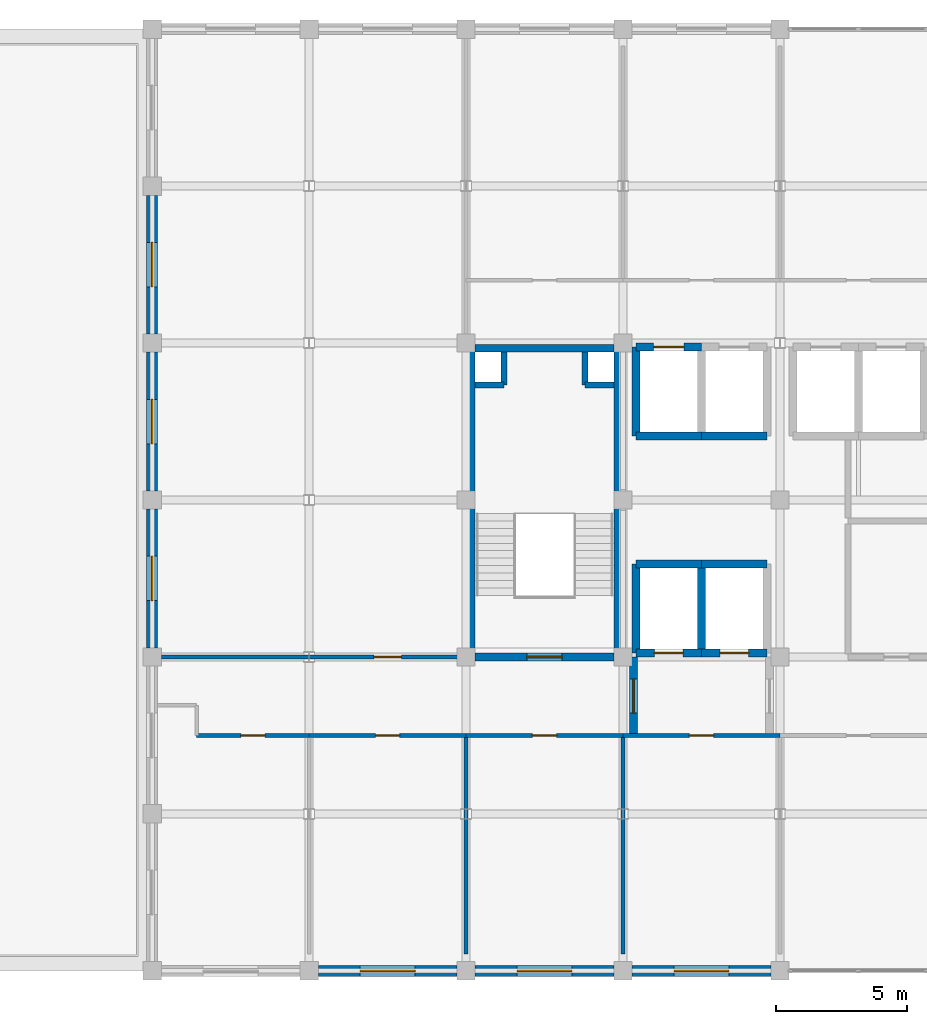
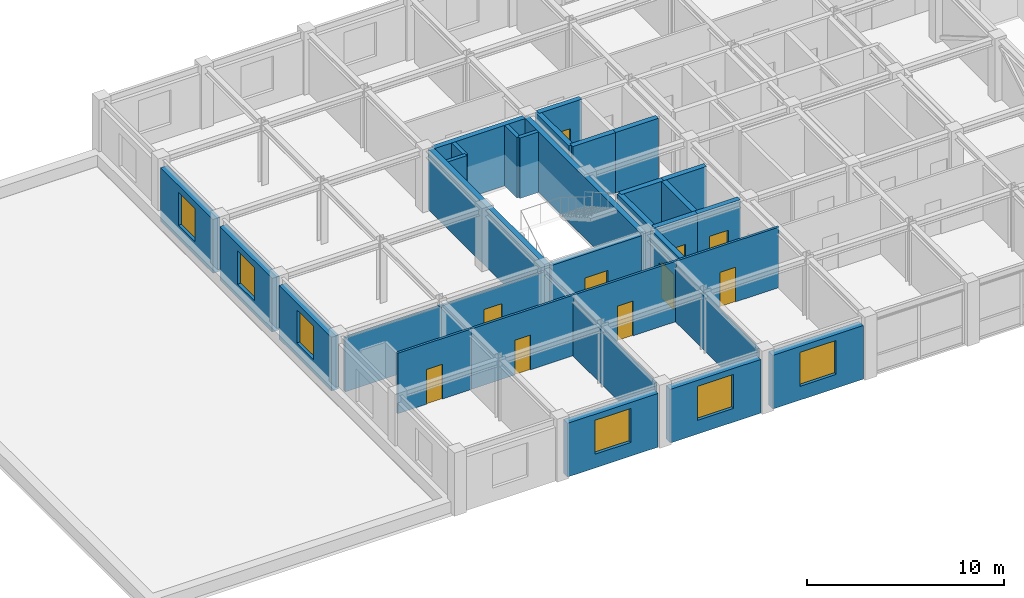
# One storey, part 8 of 13: 33 walls, 10 doors, 6 windows, 16 openings.
"""IFC4 building model written with IfcOpenShell, lengths in metres."""

from ifc_helpers import new_model, si_unit, direction, frame, frame_2d, origin, place, context, subcontext, project, spatial, rectangle, extrude, material, layer, layer_set, type_object, element, fill, save


model = new_model("IFC4")

# Units and contexts
model_context = context("Model", 3, precision=1e-05, world=origin(), true_north=direction((0.0, 1.0)))
body_context = subcontext(model_context, "Body", "Model", "MODEL_VIEW")
ifc_project = project(units=[si_unit("LENGTHUNIT", "METRE"), si_unit("AREAUNIT", "SQUARE_METRE"), si_unit("VOLUMEUNIT", "CUBIC_METRE"), si_unit("PLANEANGLEUNIT", "RADIAN"), si_unit("MASSUNIT", "GRAM", prefix="KILO")], contexts=[model_context])

# Site, building, storey
site_placement = place(None, origin())
site = spatial("IfcSite", under=ifc_project, at=site_placement, CompositionType="ELEMENT")
building_placement = place(site_placement, origin())
building = spatial("IfcBuilding", under=site, at=building_placement, Name="Zlatovratsky Civic Hall", CompositionType="ELEMENT")
storey_placement = place(building_placement, frame((0.0, 0.0, 24.89990234375)))
storey = spatial("IfcBuildingStorey", under=building, at=storey_placement, Name="L06", CompositionType="ELEMENT", Elevation=24.89990234375)

# Wall, opening, door
ifc_material_1 = material(Name="Fire-rated gypsum board framing", Category="gypsum")
ifc_layer_1 = layer(ifc_material_1, 0.139892578125)
ifc_layer_set_1 = layer_set([ifc_layer_1], Name="Fire-rated gypsum board framing")
wall_type_1 = type_object("IfcWallType", Name="Wall_OfficePartition_140", PredefinedType="PARTITIONING", material=ifc_layer_set_1)
wall_1_placement = place(storey_placement, frame((55.699951171875, 81.0, 0.0), z_axis=(0.0, 0.0, 1.0), x_axis=(1.0, 0.0, 0.0)))
wall_1 = element("IfcWall", 1, at=wall_1_placement, inside=storey, type_object=wall_type_1, Name="WL-6302", PredefinedType="PARTITIONING", context=body_context, shape_type="SweptSolid", body=[
    extrude(rectangle(XDim=4.300048828125, YDim=0.139892578125, at=frame_2d((2.14990234375, 0.0))), origin(), (0.0, 0.0, 1.0), 3.739990234375),
])
opening_1_placement = place(wall_1_placement, frame((1.68994140625, 0.0, 0.0)))
opening_1 = element("IfcOpeningElement", 2, at=opening_1_placement, cuts=wall_1, Name="Opening D-23", PredefinedType="OPENING", context=body_context, shape_type="SweptSolid", body=[
    extrude(rectangle(XDim=0.919921875, YDim=2.14990234375, at=frame_2d((0.4599609375, 1.074951171875))), frame((0.0, 0.0849609375, 0.0), z_axis=(0.0, -1.0, 0.0), x_axis=(1.0, 0.0, 0.0)), (0.0, 0.0, 1.0), 0.169677734375),
])
ifc_material_2 = material(Name="Solid oak joinery in steel frame", Category="steel")
door_type_1 = type_object("IfcDoorType", Name="Door_OfficeStandard_920x2150", OperationType="NOTDEFINED", PredefinedType="DOOR", material=ifc_material_2)
door_1_placement = place(opening_1_placement, origin())
door_1 = element("IfcDoor", 3, at=door_1_placement, inside=storey, type_object=door_type_1, Name="DR-5359", OperationType="SINGLE_SWING_LEFT", OverallHeight=2.14990234375, OverallWidth=0.919921875, PredefinedType="DOOR", context=body_context, shape_type="SweptSolid", body=[
    extrude(rectangle(XDim=0.919921875, YDim=2.14990234375, at=frame_2d((0.4599609375, 1.074951171875))), frame((0.0, 0.02490234375, 0.0), z_axis=(0.0, -1.0, 0.0), x_axis=(1.0, 0.0, 0.0)), (0.0, 0.0, 1.0), 0.050048828125),
])
fill(opening_1, door_1)

wall_2_placement = place(storey_placement, frame((60.0, 81.0, 0.0), z_axis=(0.0, 0.0, 1.0), x_axis=(1.0, 0.0, 0.0)))
wall_2 = element("IfcWall", 4, at=wall_2_placement, inside=storey, type_object=wall_type_1, Name="WL-6303", PredefinedType="PARTITIONING", context=body_context, shape_type="SweptSolid", body=[
    extrude(rectangle(XDim=6.0, YDim=0.139892578125, at=frame_2d((3.0, 0.0))), origin(), (0.0, 0.0, 1.0), 3.739990234375),
])
opening_2_placement = place(wall_2_placement, frame((2.5400390625, 0.0, 0.0)))
opening_2 = element("IfcOpeningElement", 5, at=opening_2_placement, cuts=wall_2, Name="Opening D-23", PredefinedType="OPENING", context=body_context, shape_type="SweptSolid", body=[
    extrude(rectangle(XDim=0.919921875, YDim=2.14990234375, at=frame_2d((0.4599609375, 1.074951171875))), frame((0.0, 0.0849609375, 0.0), z_axis=(0.0, -1.0, 0.0), x_axis=(1.0, 0.0, 0.0)), (0.0, 0.0, 1.0), 0.169677734375),
])
door_2_placement = place(opening_2_placement, origin())
door_2 = element("IfcDoor", 6, at=door_2_placement, inside=storey, type_object=door_type_1, Name="DR-5360", OperationType="SINGLE_SWING_RIGHT", OverallHeight=2.14990234375, OverallWidth=0.919921875, PredefinedType="DOOR", context=body_context, shape_type="SweptSolid", body=[
    extrude(rectangle(XDim=0.919921875, YDim=2.14990234375, at=frame_2d((0.4599609375, 1.074951171875))), frame((0.0, 0.02490234375, 0.0), z_axis=(0.0, -1.0, 0.0), x_axis=(1.0, 0.0, 0.0)), (0.0, 0.0, 1.0), 0.050048828125),
])
fill(opening_2, door_2)

wall_3_placement = place(storey_placement, frame((66.0, 81.0, 0.0), z_axis=(0.0, 0.0, 1.0), x_axis=(1.0, 0.0, 0.0)))
wall_3 = element("IfcWall", 7, at=wall_3_placement, inside=storey, type_object=wall_type_1, Name="WL-6304", PredefinedType="PARTITIONING", context=body_context, shape_type="SweptSolid", body=[
    extrude(rectangle(XDim=6.0, YDim=0.139892578125, at=frame_2d((3.0, 0.0))), origin(), (0.0, 0.0, 1.0), 3.739990234375),
])
opening_3_placement = place(wall_3_placement, frame((2.5400390625, 0.0, 0.0)))
opening_3 = element("IfcOpeningElement", 8, at=opening_3_placement, cuts=wall_3, Name="Opening D-23", PredefinedType="OPENING", context=body_context, shape_type="SweptSolid", body=[
    extrude(rectangle(XDim=0.919921875, YDim=2.14990234375, at=frame_2d((0.4599609375, 1.074951171875))), frame((0.0, 0.0849609375, 0.0), z_axis=(0.0, -1.0, 0.0), x_axis=(1.0, 0.0, 0.0)), (0.0, 0.0, 1.0), 0.169677734375),
])
door_3_placement = place(opening_3_placement, origin())
door_3 = element("IfcDoor", 9, at=door_3_placement, inside=storey, type_object=door_type_1, Name="DR-5361", OperationType="SINGLE_SWING_RIGHT", OverallHeight=2.14990234375, OverallWidth=0.919921875, PredefinedType="DOOR", context=body_context, shape_type="SweptSolid", body=[
    extrude(rectangle(XDim=0.919921875, YDim=2.14990234375, at=frame_2d((0.4599609375, 1.074951171875))), frame((0.0, 0.02490234375, 0.0), z_axis=(0.0, -1.0, 0.0), x_axis=(1.0, 0.0, 0.0)), (0.0, 0.0, 1.0), 0.050048828125),
])
fill(opening_3, door_3)

wall_4_placement = place(storey_placement, frame((72.0, 81.0, 0.0), z_axis=(0.0, 0.0, 1.0), x_axis=(1.0, 0.0, 0.0)))
wall_4 = element("IfcWall", 10, at=wall_4_placement, inside=storey, type_object=wall_type_1, Name="WL-6305", PredefinedType="PARTITIONING", context=body_context, shape_type="SweptSolid", body=[
    extrude(rectangle(XDim=6.0, YDim=0.139892578125, at=frame_2d((3.0, 0.0))), origin(), (0.0, 0.0, 1.0), 3.739990234375),
])
opening_4_placement = place(wall_4_placement, frame((2.5400390625, 0.0, 0.0)))
opening_4 = element("IfcOpeningElement", 11, at=opening_4_placement, cuts=wall_4, Name="Opening D-23", PredefinedType="OPENING", context=body_context, shape_type="SweptSolid", body=[
    extrude(rectangle(XDim=0.919921875, YDim=2.14990234375, at=frame_2d((0.4599609375, 1.074951171875))), frame((0.0, 0.0849609375, 0.0), z_axis=(0.0, -1.0, 0.0), x_axis=(1.0, 0.0, 0.0)), (0.0, 0.0, 1.0), 0.169677734375),
])
door_4_placement = place(opening_4_placement, origin())
door_4 = element("IfcDoor", 12, at=door_4_placement, inside=storey, type_object=door_type_1, Name="DR-5362", OperationType="SINGLE_SWING_RIGHT", OverallHeight=2.14990234375, OverallWidth=0.919921875, PredefinedType="DOOR", context=body_context, shape_type="SweptSolid", body=[
    extrude(rectangle(XDim=0.919921875, YDim=2.14990234375, at=frame_2d((0.4599609375, 1.074951171875))), frame((0.0, 0.02490234375, 0.0), z_axis=(0.0, -1.0, 0.0), x_axis=(1.0, 0.0, 0.0)), (0.0, 0.0, 1.0), 0.050048828125),
])
fill(opening_4, door_4)

wall_5_placement = place(storey_placement, frame((60.0, 84.0, 0.0), z_axis=(0.0, 0.0, 1.0), x_axis=(1.0, 0.0, 0.0)))
wall_5 = element("IfcWall", 13, at=wall_5_placement, inside=storey, type_object=wall_type_1, Name="WL-6318", PredefinedType="PARTITIONING", context=body_context, shape_type="SweptSolid", body=[
    extrude(rectangle(XDim=6.0, YDim=0.139892578125, at=frame_2d((3.0, 0.0))), origin(), (0.0, 0.0, 1.0), 3.35205078125),
])
opening_5_placement = place(wall_5_placement, frame((2.47509765625, 0.0, 0.0)))
opening_5 = element("IfcOpeningElement", 14, at=opening_5_placement, cuts=wall_5, Name="Opening D-24", PredefinedType="OPENING", context=body_context, shape_type="SweptSolid", body=[
    extrude(rectangle(XDim=1.050048828125, YDim=2.25, at=frame_2d((0.52490234375, 1.125))), frame((0.0, 0.0849609375, 0.0), z_axis=(0.0, -1.0, 0.0), x_axis=(1.0, 0.0, 0.0)), (0.0, 0.0, 1.0), 0.169677734375),
])
door_type_2 = type_object("IfcDoorType", Name="Door_DirectorateOffice_1050x2250", OperationType="NOTDEFINED", PredefinedType="DOOR", material=ifc_material_2)
door_5_placement = place(opening_5_placement, origin())
door_5 = element("IfcDoor", 15, at=door_5_placement, inside=storey, type_object=door_type_2, Name="DR-5375", OperationType="SINGLE_SWING_LEFT", OverallHeight=2.25, OverallWidth=1.050048828125, PredefinedType="DOOR", context=body_context, shape_type="SweptSolid", body=[
    extrude(rectangle(XDim=1.050048828125, YDim=2.25, at=frame_2d((0.52490234375, 1.125))), frame((0.0, 0.02490234375, 0.0), z_axis=(0.0, -1.0, 0.0), x_axis=(1.0, 0.0, 0.0)), (0.0, 0.0, 1.0), 0.050048828125),
])
fill(opening_5, door_5)

# Walls
for number, where, z_axis, x_axis, name in (
    (16, (66.0, 72.64990234375, 0.0), (0.0, 0.0, 1.0), (0.0, 1.0, 0.0), "WL-6321"),
    (17, (72.0, 72.64990234375, 0.0), (0.0, 0.0, 1.0), (0.0, 1.0, 0.0), "WL-6322"),
):
    element("IfcWall", number, at=place(storey_placement, frame(where, z_axis=z_axis, x_axis=x_axis)), inside=storey, type_object=wall_type_1, Name=name, PredefinedType="PARTITIONING", context=body_context, shape_type="SweptSolid", body=[
        extrude(rectangle(XDim=8.35009765625, YDim=0.139892578125, at=frame_2d((4.175048828125, 0.0))), origin(), (0.0, 0.0, 1.0), 3.35205078125),
    ])
wall_6_placement = place(storey_placement, frame((54.35009765625, 84.0, 0.0), z_axis=(0.0, 0.0, 1.0), x_axis=(1.0, 0.0, 0.0)))
element("IfcWall", 18, at=wall_6_placement, inside=storey, type_object=wall_type_1, Name="WL-6345", PredefinedType="PARTITIONING", context=body_context, shape_type="SweptSolid", body=[
    extrude(rectangle(XDim=5.64990234375, YDim=0.139892578125, at=frame_2d((2.824951171875, 0.0))), origin(), (0.0, 0.0, 1.0), 3.35205078125),
])
ifc_material_3 = material(Name="Acoustic ceramic blockwork", Category="masonry")
ifc_layer_2 = layer(ifc_material_3, 0.219970703125)
ifc_layer_set_2 = layer_set([ifc_layer_2], Name="Acoustic ceramic blockwork")
wall_type_2 = type_object("IfcWallType", Name="Wall_SanitaryWetCore_220", PredefinedType="PARTITIONING", material=ifc_layer_set_2)
wall_7_placement = place(storey_placement, frame((67.449951171875, 94.39990234375, 0.0), z_axis=(0.0, 0.0, 1.0), x_axis=(0.0, 1.0, 0.0)))
element("IfcWall", 19, at=wall_7_placement, inside=storey, type_object=wall_type_2, Name="WL-5053", PredefinedType="PARTITIONING", context=body_context, shape_type="SweptSolid", body=[
    extrude(rectangle(XDim=1.25, YDim=0.219970703125, at=frame_2d((0.625, 0.0))), origin(), (0.0, 0.0, 1.0), 3.739990234375),
])
wall_8_placement = place(storey_placement, frame((66.35009765625, 94.39990234375, 0.0), z_axis=(0.0, 0.0, 1.0), x_axis=(1.0, 0.0, 0.0)))
element("IfcWall", 20, at=wall_8_placement, inside=storey, type_object=wall_type_2, Name="WL-5054", PredefinedType="PARTITIONING", context=body_context, shape_type="SweptSolid", body=[
    extrude(rectangle(XDim=1.099853515625, YDim=0.219970703125, at=frame_2d((0.5498046875, 0.0))), origin(), (0.0, 0.0, 1.0), 3.739990234375),
])
wall_9_placement = place(storey_placement, frame((70.550048828125, 94.39990234375, 0.0), z_axis=(0.0, 0.0, 1.0), x_axis=(0.0, 1.0, 0.0)))
element("IfcWall", 21, at=wall_9_placement, inside=storey, type_object=wall_type_2, Name="WL-5055", PredefinedType="PARTITIONING", context=body_context, shape_type="SweptSolid", body=[
    extrude(rectangle(XDim=1.25, YDim=0.219970703125, at=frame_2d((0.625, 0.0))), origin(), (0.0, 0.0, 1.0), 3.739990234375),
])
wall_10_placement = place(storey_placement, frame((70.550048828125, 94.39990234375, 0.0), z_axis=(0.0, 0.0, 1.0), x_axis=(1.0, 0.0, 0.0)))
element("IfcWall", 22, at=wall_10_placement, inside=storey, type_object=wall_type_2, Name="WL-5056", PredefinedType="PARTITIONING", context=body_context, shape_type="SweptSolid", body=[
    extrude(rectangle(XDim=1.099853515625, YDim=0.219970703125, at=frame_2d((0.5498046875, 0.0))), origin(), (0.0, 0.0, 1.0), 3.739990234375),
])

# Wall, opening, door
ifc_material_4 = material(Name="Concrete C35/45 (B40)", Category="concrete")
ifc_layer_3 = layer(ifc_material_4, 0.300048828125)
ifc_layer_set_3 = layer_set([ifc_layer_3], Name="Concrete C35/45 (B40)")
wall_type_3 = type_object("IfcWallType", Name="Wall_StairAndLiftShaft_300", PredefinedType="SHEAR", material=ifc_layer_set_3)
wall_11_placement = place(storey_placement, frame((66.35009765625, 84.0, 0.0), z_axis=(0.0, 0.0, 1.0), x_axis=(1.0, 0.0, 0.0)))
wall_11 = element("IfcWall", 23, at=wall_11_placement, inside=storey, type_object=wall_type_3, Name="WL-5049", PredefinedType="SHEAR", context=body_context, shape_type="SweptSolid", body=[
    extrude(rectangle(XDim=5.2998046875, YDim=0.300048828125, at=frame_2d((2.64990234375, 0.0))), origin(), (0.0, 0.0, 1.0), 3.66015625),
])
opening_6_placement = place(wall_11_placement, frame((1.97509765625, 0.0, 0.0)))
opening_6 = element("IfcOpeningElement", 24, at=opening_6_placement, cuts=wall_11, Name="Opening D-17", PredefinedType="OPENING", context=body_context, shape_type="SweptSolid", body=[
    extrude(rectangle(XDim=1.35009765625, YDim=2.199951171875, at=frame_2d((0.675048828125, 1.10009765625))), frame((0.0, 0.1650390625, 0.0), z_axis=(0.0, -1.0, 0.0), x_axis=(1.0, 0.0, 0.0)), (0.0, 0.0, 1.0), 0.329833984375),
])
ifc_material_5 = material(Name="Insulated painted fire-rated steel leaf", Category="steel")
door_type_3 = type_object("IfcDoorType", Name="Door_StairwellFireTower_1350x2200", OperationType="NOTDEFINED", PredefinedType="DOOR", material=ifc_material_5)
door_6_placement = place(opening_6_placement, origin())
door_6 = element("IfcDoor", 25, at=door_6_placement, inside=storey, type_object=door_type_3, Name="DR-5007", OperationType="SINGLE_SWING_LEFT", OverallHeight=2.199951171875, OverallWidth=1.35009765625, PredefinedType="DOOR", context=body_context, shape_type="SweptSolid", body=[
    extrude(rectangle(XDim=1.35009765625, YDim=2.199951171875, at=frame_2d((0.675048828125, 1.10009765625))), frame((0.0, 0.02490234375, 0.0), z_axis=(0.0, -1.0, 0.0), x_axis=(1.0, 0.0, 0.0)), (0.0, 0.0, 1.0), 0.050048828125),
])
fill(opening_6, door_6)

# Walls
wall_12_placement = place(storey_placement, frame((66.35009765625, 95.800048828125, 0.0), z_axis=(0.0, 0.0, 1.0), x_axis=(1.0, 0.0, 0.0)))
element("IfcWall", 26, at=wall_12_placement, inside=storey, type_object=wall_type_3, Name="WL-5050", PredefinedType="SHEAR", context=body_context, shape_type="SweptSolid", body=[
    extrude(rectangle(XDim=5.2998046875, YDim=0.300048828125, at=frame_2d((2.64990234375, 0.0))), origin(), (0.0, 0.0, 1.0), 3.739990234375),
])
for number, where, z_axis, x_axis, name in (
    (27, (66.199951171875, 84.0, 0.0), (0.0, 0.0, 1.0), (0.0, 1.0, 0.0), "WL-5051"),
    (28, (71.800048828125, 84.0, 0.0), (0.0, 0.0, 1.0), (0.0, 1.0, 0.0), "WL-5052"),
):
    element("IfcWall", number, at=place(storey_placement, frame(where, z_axis=z_axis, x_axis=x_axis)), inside=storey, type_object=wall_type_3, Name=name, PredefinedType="SHEAR", context=body_context, shape_type="SweptSolid", body=[
        extrude(rectangle(XDim=11.800048828125, YDim=0.300048828125, at=frame_2d((5.89990234375, 0.0))), origin(), (0.0, 0.0, 1.0), 3.739990234375),
    ])

# Wall, opening, door
wall_13_placement = place(storey_placement, frame((72.5, 84.14990234375, 0.0), z_axis=(0.0, 0.0, 1.0), x_axis=(1.0, 0.0, 0.0)))
wall_13 = element("IfcWall", 29, at=wall_13_placement, inside=storey, type_object=wall_type_3, Name="WL-5511", PredefinedType="SHEAR", context=body_context, shape_type="SweptSolid", body=[
    extrude(rectangle(XDim=2.5, YDim=0.300048828125, at=frame_2d((1.25, 0.0))), origin(), (0.0, 0.0, 1.0), 3.739990234375),
])
opening_7_placement = place(wall_13_placement, frame((0.699951171875, 0.0, 0.0)))
opening_7 = element("IfcOpeningElement", 30, at=opening_7_placement, cuts=wall_13, Name="Opening LD-01", PredefinedType="OPENING", context=body_context, shape_type="SweptSolid", body=[
    extrude(rectangle(XDim=1.10009765625, YDim=2.10009765625, at=frame_2d((0.550048828125, 1.050048828125))), frame((0.0, 0.1650390625, 0.0), z_axis=(0.0, -1.0, 0.0), x_axis=(1.0, 0.0, 0.0)), (0.0, 0.0, 1.0), 0.329833984375),
])
ifc_material_6 = material(Name="Brushed stainless steel AISI 304", Category="steel")
door_type_4 = type_object("IfcDoorType", Name="Door_LiftLandingFire_1100x2100", OperationType="DOUBLE_DOOR_SLIDING", PredefinedType="DOOR", material=ifc_material_6)
door_7_placement = place(opening_7_placement, origin())
door_7 = element("IfcDoor", 31, at=door_7_placement, inside=storey, type_object=door_type_4, Name="Lift landing door LD-5065", OperationType="DOUBLE_DOOR_SLIDING", OverallHeight=2.10009765625, OverallWidth=1.10009765625, PredefinedType="DOOR", context=body_context, shape_type="SweptSolid", body=[
    extrude(rectangle(XDim=1.10009765625, YDim=2.10009765625, at=frame_2d((0.550048828125, 1.050048828125))), frame((0.0, 0.02490234375, 0.0), z_axis=(0.0, -1.0, 0.0), x_axis=(1.0, 0.0, 0.0)), (0.0, 0.0, 1.0), 0.050048828125),
])
fill(opening_7, door_7)

# Walls
wall_14_placement = place(storey_placement, frame((72.5, 87.550048828125, 0.0), z_axis=(0.0, 0.0, 1.0), x_axis=(1.0, 0.0, 0.0)))
element("IfcWall", 32, at=wall_14_placement, inside=storey, type_object=wall_type_3, Name="WL-5512", PredefinedType="SHEAR", context=body_context, shape_type="SweptSolid", body=[
    extrude(rectangle(XDim=2.5, YDim=0.300048828125, at=frame_2d((1.25, 0.0))), origin(), (0.0, 0.0, 1.0), 3.739990234375),
])
wall_15_placement = place(storey_placement, frame((72.5, 84.14990234375, 0.0), z_axis=(0.0, 0.0, 1.0), x_axis=(0.0, 1.0, 0.0)))
element("IfcWall", 33, at=wall_15_placement, inside=storey, type_object=wall_type_3, Name="WL-5513", PredefinedType="SHEAR", context=body_context, shape_type="SweptSolid", body=[
    extrude(rectangle(XDim=3.400146484375, YDim=0.300048828125, at=frame_2d((1.7001953125, 0.0))), origin(), (0.0, 0.0, 1.0), 3.739990234375),
])

# Wall, opening, door
wall_16_placement = place(storey_placement, frame((75.0, 84.14990234375, 0.0), z_axis=(0.0, 0.0, 1.0), x_axis=(1.0, 0.0, 0.0)))
wall_16 = element("IfcWall", 34, at=wall_16_placement, inside=storey, type_object=wall_type_3, Name="WL-5574", PredefinedType="SHEAR", context=body_context, shape_type="SweptSolid", body=[
    extrude(rectangle(XDim=2.5, YDim=0.300048828125, at=frame_2d((1.25, 0.0))), origin(), (0.0, 0.0, 1.0), 3.739990234375),
])
opening_8_placement = place(wall_16_placement, frame((0.699951171875, 0.0, 0.0)))
opening_8 = element("IfcOpeningElement", 35, at=opening_8_placement, cuts=wall_16, Name="Opening LD-01", PredefinedType="OPENING", context=body_context, shape_type="SweptSolid", body=[
    extrude(rectangle(XDim=1.10009765625, YDim=2.10009765625, at=frame_2d((0.550048828125, 1.050048828125))), frame((0.0, 0.1650390625, 0.0), z_axis=(0.0, -1.0, 0.0), x_axis=(1.0, 0.0, 0.0)), (0.0, 0.0, 1.0), 0.329833984375),
])
door_8_placement = place(opening_8_placement, origin())
door_8 = element("IfcDoor", 36, at=door_8_placement, inside=storey, type_object=door_type_4, Name="Lift landing door LD-5084", OperationType="DOUBLE_DOOR_SLIDING", OverallHeight=2.10009765625, OverallWidth=1.10009765625, PredefinedType="DOOR", context=body_context, shape_type="SweptSolid", body=[
    extrude(rectangle(XDim=1.10009765625, YDim=2.10009765625, at=frame_2d((0.550048828125, 1.050048828125))), frame((0.0, 0.02490234375, 0.0), z_axis=(0.0, -1.0, 0.0), x_axis=(1.0, 0.0, 0.0)), (0.0, 0.0, 1.0), 0.050048828125),
])
fill(opening_8, door_8)

# Walls
wall_17_placement = place(storey_placement, frame((75.0, 87.550048828125, 0.0), z_axis=(0.0, 0.0, 1.0), x_axis=(1.0, 0.0, 0.0)))
element("IfcWall", 37, at=wall_17_placement, inside=storey, type_object=wall_type_3, Name="WL-5575", PredefinedType="SHEAR", context=body_context, shape_type="SweptSolid", body=[
    extrude(rectangle(XDim=2.5, YDim=0.300048828125, at=frame_2d((1.25, 0.0))), origin(), (0.0, 0.0, 1.0), 3.739990234375),
])
wall_18_placement = place(storey_placement, frame((75.0, 84.14990234375, 0.0), z_axis=(0.0, 0.0, 1.0), x_axis=(0.0, 1.0, 0.0)))
element("IfcWall", 38, at=wall_18_placement, inside=storey, type_object=wall_type_3, Name="WL-5576", PredefinedType="SHEAR", context=body_context, shape_type="SweptSolid", body=[
    extrude(rectangle(XDim=3.400146484375, YDim=0.300048828125, at=frame_2d((1.7001953125, 0.0))), origin(), (0.0, 0.0, 1.0), 3.739990234375),
])

# Wall, opening, door
wall_19_placement = place(storey_placement, frame((72.5, 95.85009765625, 0.0), z_axis=(0.0, 0.0, 1.0), x_axis=(1.0, 0.0, 0.0)))
wall_19 = element("IfcWall", 39, at=wall_19_placement, inside=storey, type_object=wall_type_3, Name="WL-5644", PredefinedType="SHEAR", context=body_context, shape_type="SweptSolid", body=[
    extrude(rectangle(XDim=2.5, YDim=0.300048828125, at=frame_2d((1.25, 0.0))), origin(), (0.0, 0.0, 1.0), 3.739990234375),
])
opening_9_placement = place(wall_19_placement, frame((0.675048828125, 0.0, 0.0)))
opening_9 = element("IfcOpeningElement", 40, at=opening_9_placement, cuts=wall_19, Name="Opening LD-02", PredefinedType="OPENING", context=body_context, shape_type="SweptSolid", body=[
    extrude(rectangle(XDim=1.14990234375, YDim=2.14990234375, at=frame_2d((0.574951171875, 1.074951171875))), frame((0.0, 0.1650390625, 0.0), z_axis=(0.0, -1.0, 0.0), x_axis=(1.0, 0.0, 0.0)), (0.0, 0.0, 1.0), 0.329833984375),
])
door_type_5 = type_object("IfcDoorType", Name="Door_LiftLandingHighRise_1150x2150", OperationType="DOUBLE_DOOR_SLIDING", PredefinedType="DOOR", material=ifc_material_6)
door_9_placement = place(opening_9_placement, origin())
door_9 = element("IfcDoor", 41, at=door_9_placement, inside=storey, type_object=door_type_5, Name="Lift landing door LD-5103", OperationType="DOUBLE_DOOR_SLIDING", OverallHeight=2.14990234375, OverallWidth=1.14990234375, PredefinedType="DOOR", context=body_context, shape_type="SweptSolid", body=[
    extrude(rectangle(XDim=1.14990234375, YDim=2.14990234375, at=frame_2d((0.574951171875, 1.074951171875))), frame((0.0, 0.02490234375, 0.0), z_axis=(0.0, -1.0, 0.0), x_axis=(1.0, 0.0, 0.0)), (0.0, 0.0, 1.0), 0.050048828125),
])
fill(opening_9, door_9)

# Walls
wall_20_placement = place(storey_placement, frame((72.5, 92.449951171875, 0.0), z_axis=(0.0, 0.0, 1.0), x_axis=(1.0, 0.0, 0.0)))
element("IfcWall", 42, at=wall_20_placement, inside=storey, type_object=wall_type_3, Name="WL-5645", PredefinedType="SHEAR", context=body_context, shape_type="SweptSolid", body=[
    extrude(rectangle(XDim=2.5, YDim=0.300048828125, at=frame_2d((1.25, 0.0))), origin(), (0.0, 0.0, 1.0), 3.739990234375),
])
wall_21_placement = place(storey_placement, frame((72.5, 92.449951171875, 0.0), z_axis=(0.0, 0.0, 1.0), x_axis=(0.0, 1.0, 0.0)))
element("IfcWall", 43, at=wall_21_placement, inside=storey, type_object=wall_type_3, Name="WL-5646", PredefinedType="SHEAR", context=body_context, shape_type="SweptSolid", body=[
    extrude(rectangle(XDim=3.400146484375, YDim=0.300048828125, at=frame_2d((1.7001953125, 0.0))), origin(), (0.0, 0.0, 1.0), 3.739990234375),
])
wall_22_placement = place(storey_placement, frame((75.0, 92.449951171875, 0.0), z_axis=(0.0, 0.0, 1.0), x_axis=(1.0, 0.0, 0.0)))
element("IfcWall", 44, at=wall_22_placement, inside=storey, type_object=wall_type_3, Name="WL-5708", PredefinedType="SHEAR", context=body_context, shape_type="SweptSolid", body=[
    extrude(rectangle(XDim=2.5, YDim=0.300048828125, at=frame_2d((1.25, 0.0))), origin(), (0.0, 0.0, 1.0), 3.739990234375),
])

# Wall, opening, door
wall_23_placement = place(storey_placement, frame((72.39990234375, 81.0, 0.0), z_axis=(0.0, 0.0, 1.0), x_axis=(0.0, 1.0, 0.0)))
wall_23 = element("IfcWall", 45, at=wall_23_placement, inside=storey, type_object=wall_type_3, Name="WL-6293", PredefinedType="SHEAR", context=body_context, shape_type="SweptSolid", body=[
    extrude(rectangle(XDim=3.0, YDim=0.300048828125, at=frame_2d((1.5, 0.0))), origin(), (0.0, 0.0, 1.0), 3.739990234375),
])
opening_10_placement = place(wall_23_placement, frame((0.85009765625, 0.0, 0.0)))
opening_10 = element("IfcOpeningElement", 46, at=opening_10_placement, cuts=wall_23, Name="Opening D-18", PredefinedType="OPENING", context=body_context, shape_type="SweptSolid", body=[
    extrude(rectangle(XDim=1.300048828125, YDim=2.199951171875, at=frame_2d((0.64990234375, 1.10009765625))), frame((0.0, 0.1650390625, 0.0), z_axis=(0.0, -1.0, 0.0), x_axis=(1.0, 0.0, 0.0)), (0.0, 0.0, 1.0), 0.329833984375),
])
door_type_6 = type_object("IfcDoorType", Name="Door_FireLobbyAirlock_1300x2200", OperationType="NOTDEFINED", PredefinedType="DOOR", material=ifc_material_5)
door_10_placement = place(opening_10_placement, origin())
door_10 = element("IfcDoor", 47, at=door_10_placement, inside=storey, type_object=door_type_6, Name="DR-5353", OperationType="SINGLE_SWING_RIGHT", OverallHeight=2.199951171875, OverallWidth=1.300048828125, PredefinedType="DOOR", context=body_context, shape_type="SweptSolid", body=[
    extrude(rectangle(XDim=1.300048828125, YDim=2.199951171875, at=frame_2d((0.64990234375, 1.10009765625))), frame((0.0, 0.02490234375, 0.0), z_axis=(0.0, -1.0, 0.0), x_axis=(1.0, 0.0, 0.0)), (0.0, 0.0, 1.0), 0.050048828125),
])
fill(opening_10, door_10)

# Wall, opening, window
ifc_layer_4 = layer(ifc_material_3, 0.280029296875, Name="Backing")
ifc_material_7 = material(Name="Podolsk limestone ashlar", Category="masonry")
ifc_layer_5 = layer(ifc_material_7, 0.139892578125, Name="Finish")
ifc_layer_set_4 = layer_set([ifc_layer_4, ifc_layer_5], Name="Acoustic ceramic blockwork")
wall_type_4 = type_object("IfcWallType", Name="Wall_TowerLimestoneAshlar_420", PredefinedType="SOLIDWALL", material=ifc_layer_set_4)
wall_24_placement = place(storey_placement, frame((60.35009765625, 72.0, 0.0), z_axis=(0.0, 0.0, 1.0), x_axis=(1.0, 0.0, 0.0)))
wall_24 = element("IfcWall", 48, at=wall_24_placement, inside=storey, type_object=wall_type_4, Name="WL-0418", PredefinedType="SOLIDWALL", context=body_context, shape_type="SweptSolid", body=[
    extrude(rectangle(XDim=5.2998046875, YDim=0.419921875, at=frame_2d((2.64990234375, 0.0))), origin(), (0.0, 0.0, 1.0), 3.320068359375),
])
opening_11_placement = place(wall_24_placement, frame((1.60009765625, 0.0, 0.85009765625)))
opening_11 = element("IfcOpeningElement", 49, at=opening_11_placement, cuts=wall_24, Name="Opening WN-14", PredefinedType="OPENING", context=body_context, shape_type="SweptSolid", body=[
    extrude(rectangle(XDim=2.10009765625, YDim=2.10009765625, at=frame_2d((1.050048828125, 1.050048828125))), frame((0.0, 0.224853515625, 0.0), z_axis=(0.0, -1.0, 0.0), x_axis=(1.0, 0.0, 0.0)), (0.0, 0.0, 1.0), 0.44970703125),
])
ifc_material_8 = material(Name="Low-E laminated double glazing", Category="glass")
window_type_1 = type_object("IfcWindowType", Name="Window_TowerTier1South_2100x2100", PartitioningType="SINGLE_PANEL", PredefinedType="WINDOW", material=ifc_material_8)
window_1_placement = place(opening_11_placement, origin())
window_1 = element("IfcWindow", 50, at=window_1_placement, inside=storey, type_object=window_type_1, Name="WN-0322", OverallHeight=2.10009765625, OverallWidth=2.10009765625, PartitioningType="SINGLE_PANEL", PredefinedType="WINDOW", context=body_context, shape_type="SweptSolid", body=[
    extrude(rectangle(XDim=2.10009765625, YDim=2.10009765625, at=frame_2d((1.050048828125, 1.050048828125))), frame((0.0, 0.030029296875, 0.0), z_axis=(0.0, -1.0, 0.0), x_axis=(1.0, 0.0, 0.0)), (0.0, 0.0, 1.0), 0.06005859375),
])
fill(opening_11, window_1)

wall_25_placement = place(storey_placement, frame((66.35009765625, 72.0, 0.0), z_axis=(0.0, 0.0, 1.0), x_axis=(1.0, 0.0, 0.0)))
wall_25 = element("IfcWall", 51, at=wall_25_placement, inside=storey, type_object=wall_type_4, Name="WL-0419", PredefinedType="SOLIDWALL", context=body_context, shape_type="SweptSolid", body=[
    extrude(rectangle(XDim=5.2998046875, YDim=0.419921875, at=frame_2d((2.64990234375, 0.0))), origin(), (0.0, 0.0, 1.0), 3.320068359375),
])
opening_12_placement = place(wall_25_placement, frame((1.60009765625, 0.0, 0.85009765625)))
opening_12 = element("IfcOpeningElement", 52, at=opening_12_placement, cuts=wall_25, Name="Opening WN-14", PredefinedType="OPENING", context=body_context, shape_type="SweptSolid", body=[
    extrude(rectangle(XDim=2.10009765625, YDim=2.10009765625, at=frame_2d((1.050048828125, 1.050048828125))), frame((0.0, 0.224853515625, 0.0), z_axis=(0.0, -1.0, 0.0), x_axis=(1.0, 0.0, 0.0)), (0.0, 0.0, 1.0), 0.44970703125),
])
window_2_placement = place(opening_12_placement, origin())
window_2 = element("IfcWindow", 53, at=window_2_placement, inside=storey, type_object=window_type_1, Name="WN-0323", OverallHeight=2.10009765625, OverallWidth=2.10009765625, PartitioningType="SINGLE_PANEL", PredefinedType="WINDOW", context=body_context, shape_type="SweptSolid", body=[
    extrude(rectangle(XDim=2.10009765625, YDim=2.10009765625, at=frame_2d((1.050048828125, 1.050048828125))), frame((0.0, 0.030029296875, 0.0), z_axis=(0.0, -1.0, 0.0), x_axis=(1.0, 0.0, 0.0)), (0.0, 0.0, 1.0), 0.06005859375),
])
fill(opening_12, window_2)

wall_26_placement = place(storey_placement, frame((72.35009765625, 72.0, 0.0), z_axis=(0.0, 0.0, 1.0), x_axis=(1.0, 0.0, 0.0)))
wall_26 = element("IfcWall", 54, at=wall_26_placement, inside=storey, type_object=wall_type_4, Name="WL-0420", PredefinedType="SOLIDWALL", context=body_context, shape_type="SweptSolid", body=[
    extrude(rectangle(XDim=5.2998046875, YDim=0.419921875, at=frame_2d((2.64990234375, 0.0))), origin(), (0.0, 0.0, 1.0), 3.320068359375),
])
opening_13_placement = place(wall_26_placement, frame((1.60009765625, 0.0, 0.85009765625)))
opening_13 = element("IfcOpeningElement", 55, at=opening_13_placement, cuts=wall_26, Name="Opening WN-14", PredefinedType="OPENING", context=body_context, shape_type="SweptSolid", body=[
    extrude(rectangle(XDim=2.10009765625, YDim=2.10009765625, at=frame_2d((1.050048828125, 1.050048828125))), frame((0.0, 0.224853515625, 0.0), z_axis=(0.0, -1.0, 0.0), x_axis=(1.0, 0.0, 0.0)), (0.0, 0.0, 1.0), 0.44970703125),
])
window_3_placement = place(opening_13_placement, origin())
window_3 = element("IfcWindow", 56, at=window_3_placement, inside=storey, type_object=window_type_1, Name="WN-0324", OverallHeight=2.10009765625, OverallWidth=2.10009765625, PartitioningType="SINGLE_PANEL", PredefinedType="WINDOW", context=body_context, shape_type="SweptSolid", body=[
    extrude(rectangle(XDim=2.10009765625, YDim=2.10009765625, at=frame_2d((1.050048828125, 1.050048828125))), frame((0.0, 0.030029296875, 0.0), z_axis=(0.0, -1.0, 0.0), x_axis=(1.0, 0.0, 0.0)), (0.0, 0.0, 1.0), 0.06005859375),
])
fill(opening_13, window_3)

wall_27_placement = place(storey_placement, frame((54.0, 84.35009765625, 0.0), z_axis=(0.0, 0.0, 1.0), x_axis=(0.0, 1.0, 0.0)))
wall_27 = element("IfcWall", 57, at=wall_27_placement, inside=storey, type_object=wall_type_4, Name="WL-0435", PredefinedType="SOLIDWALL", context=body_context, shape_type="SweptSolid", body=[
    extrude(rectangle(XDim=5.2998046875, YDim=0.419921875, at=frame_2d((2.64990234375, 0.0))), origin(), (0.0, 0.0, 1.0), 3.320068359375),
])
opening_14_placement = place(wall_27_placement, frame((1.800048828125, 0.0, 0.85009765625)))
opening_14 = element("IfcOpeningElement", 58, at=opening_14_placement, cuts=wall_27, Name="Opening WN-16", PredefinedType="OPENING", context=body_context, shape_type="SweptSolid", body=[
    extrude(rectangle(XDim=1.699951171875, YDim=2.050048828125, at=frame_2d((0.85009765625, 1.02490234375))), frame((0.0, 0.224853515625, 0.0), z_axis=(0.0, -1.0, 0.0), x_axis=(1.0, 0.0, 0.0)), (0.0, 0.0, 1.0), 0.44970703125),
])
window_type_2 = type_object("IfcWindowType", Name="Window_TowerTier1Flank_1700x2050", PartitioningType="SINGLE_PANEL", PredefinedType="WINDOW", material=ifc_material_8)
window_4_placement = place(opening_14_placement, origin())
window_4 = element("IfcWindow", 59, at=window_4_placement, inside=storey, type_object=window_type_2, Name="WN-0339", OverallHeight=2.050048828125, OverallWidth=1.699951171875, PartitioningType="SINGLE_PANEL", PredefinedType="WINDOW", context=body_context, shape_type="SweptSolid", body=[
    extrude(rectangle(XDim=1.699951171875, YDim=2.050048828125, at=frame_2d((0.85009765625, 1.02490234375))), frame((0.0, 0.030029296875, 0.0), z_axis=(0.0, -1.0, 0.0), x_axis=(1.0, 0.0, 0.0)), (0.0, 0.0, 1.0), 0.06005859375),
])
fill(opening_14, window_4)

wall_28_placement = place(storey_placement, frame((54.0, 90.35009765625, 0.0), z_axis=(0.0, 0.0, 1.0), x_axis=(0.0, 1.0, 0.0)))
wall_28 = element("IfcWall", 60, at=wall_28_placement, inside=storey, type_object=wall_type_4, Name="WL-0436", PredefinedType="SOLIDWALL", context=body_context, shape_type="SweptSolid", body=[
    extrude(rectangle(XDim=5.2998046875, YDim=0.419921875, at=frame_2d((2.64990234375, 0.0))), origin(), (0.0, 0.0, 1.0), 3.320068359375),
])
opening_15_placement = place(wall_28_placement, frame((1.800048828125, 0.0, 0.85009765625)))
opening_15 = element("IfcOpeningElement", 61, at=opening_15_placement, cuts=wall_28, Name="Opening WN-16", PredefinedType="OPENING", context=body_context, shape_type="SweptSolid", body=[
    extrude(rectangle(XDim=1.699951171875, YDim=2.050048828125, at=frame_2d((0.85009765625, 1.02490234375))), frame((0.0, 0.224853515625, 0.0), z_axis=(0.0, -1.0, 0.0), x_axis=(1.0, 0.0, 0.0)), (0.0, 0.0, 1.0), 0.44970703125),
])
window_5_placement = place(opening_15_placement, origin())
window_5 = element("IfcWindow", 62, at=window_5_placement, inside=storey, type_object=window_type_2, Name="WN-0340", OverallHeight=2.050048828125, OverallWidth=1.699951171875, PartitioningType="SINGLE_PANEL", PredefinedType="WINDOW", context=body_context, shape_type="SweptSolid", body=[
    extrude(rectangle(XDim=1.699951171875, YDim=2.050048828125, at=frame_2d((0.85009765625, 1.02490234375))), frame((0.0, 0.030029296875, 0.0), z_axis=(0.0, -1.0, 0.0), x_axis=(1.0, 0.0, 0.0)), (0.0, 0.0, 1.0), 0.06005859375),
])
fill(opening_15, window_5)

wall_29_placement = place(storey_placement, frame((54.0, 96.35009765625, 0.0), z_axis=(0.0, 0.0, 1.0), x_axis=(0.0, 1.0, 0.0)))
wall_29 = element("IfcWall", 63, at=wall_29_placement, inside=storey, type_object=wall_type_4, Name="WL-0437", PredefinedType="SOLIDWALL", context=body_context, shape_type="SweptSolid", body=[
    extrude(rectangle(XDim=5.2998046875, YDim=0.419921875, at=frame_2d((2.64990234375, 0.0))), origin(), (0.0, 0.0, 1.0), 3.320068359375),
])
opening_16_placement = place(wall_29_placement, frame((1.800048828125, 0.0, 0.85009765625)))
opening_16 = element("IfcOpeningElement", 64, at=opening_16_placement, cuts=wall_29, Name="Opening WN-16", PredefinedType="OPENING", context=body_context, shape_type="SweptSolid", body=[
    extrude(rectangle(XDim=1.699951171875, YDim=2.050048828125, at=frame_2d((0.85009765625, 1.02490234375))), frame((0.0, 0.224853515625, 0.0), z_axis=(0.0, -1.0, 0.0), x_axis=(1.0, 0.0, 0.0)), (0.0, 0.0, 1.0), 0.44970703125),
])
window_6_placement = place(opening_16_placement, origin())
window_6 = element("IfcWindow", 65, at=window_6_placement, inside=storey, type_object=window_type_2, Name="WN-0341", OverallHeight=2.050048828125, OverallWidth=1.699951171875, PartitioningType="SINGLE_PANEL", PredefinedType="WINDOW", context=body_context, shape_type="SweptSolid", body=[
    extrude(rectangle(XDim=1.699951171875, YDim=2.050048828125, at=frame_2d((0.85009765625, 1.02490234375))), frame((0.0, 0.030029296875, 0.0), z_axis=(0.0, -1.0, 0.0), x_axis=(1.0, 0.0, 0.0)), (0.0, 0.0, 1.0), 0.06005859375),
])
fill(opening_16, window_6)

save(model, "model.ifc")
